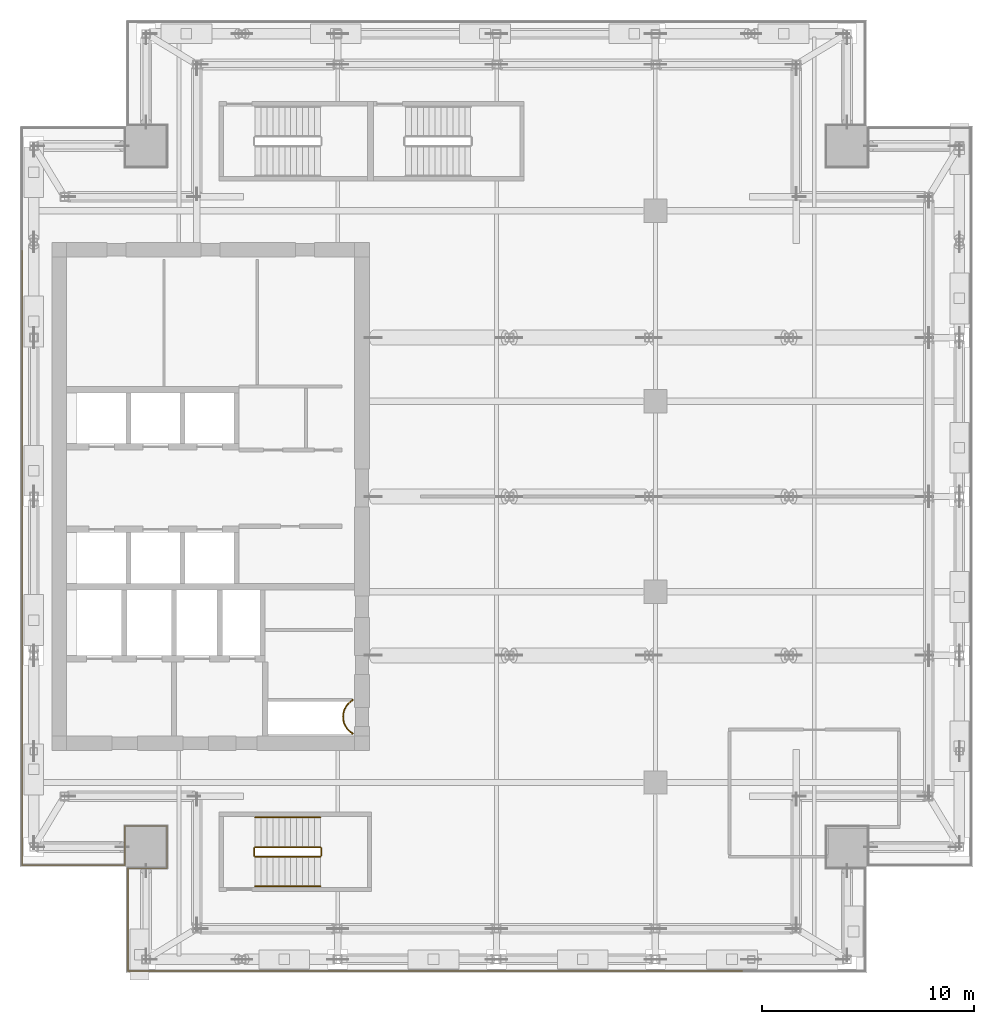
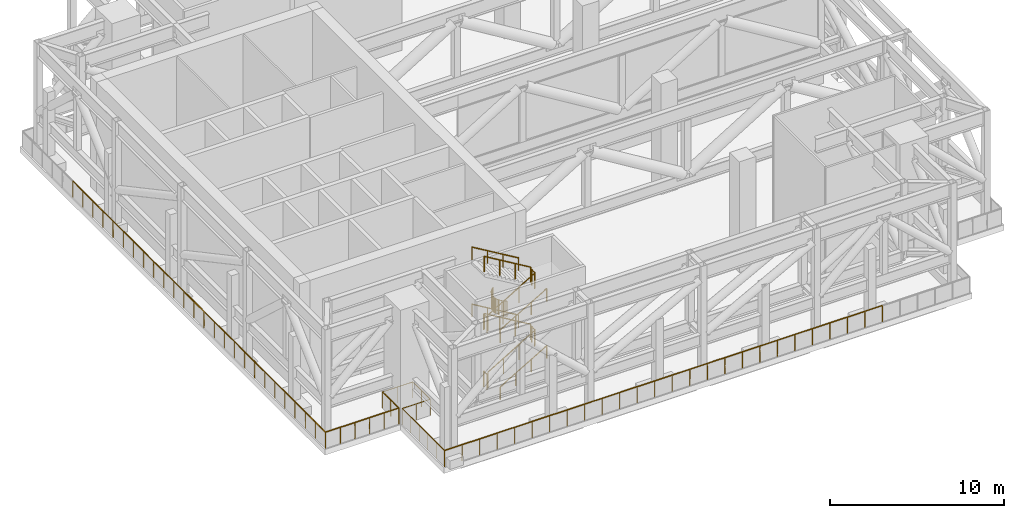
# One storey, part 12 of 15: 27 railings.
"""IFC4 building model written with IfcOpenShell, lengths in metres."""

from ifc_helpers import new_model, si_unit, direction, frame, origin, origin_2d, place, context, subcontext, project, spatial, circle, extrude, source, transform, mapped, material, type_object, element, save


model = new_model("IFC4")

# Units and contexts
model_context = context("Model", 3, precision=1e-05, world=origin(), true_north=direction((0.0, 1.0)))
body_context = subcontext(model_context, "Body", "Model", "MODEL_VIEW")
ifc_project = project(units=[si_unit("LENGTHUNIT", "METRE"), si_unit("AREAUNIT", "SQUARE_METRE"), si_unit("VOLUMEUNIT", "CUBIC_METRE"), si_unit("PLANEANGLEUNIT", "RADIAN"), si_unit("MASSUNIT", "GRAM", prefix="KILO")], contexts=[model_context])

# Site, building, storey
site_placement = place(None, origin())
site = spatial("IfcSite", under=ifc_project, at=site_placement, CompositionType="ELEMENT")
building_placement = place(site_placement, origin())
building = spatial("IfcBuilding", under=site, at=building_placement, Name="Khomas Fold Tower", CompositionType="ELEMENT")
storey_placement = place(building_placement, frame((0.0, 0.0, 274.199951171875)))
storey = spatial("IfcBuildingStorey", under=building, at=storey_placement, Name="L62", CompositionType="ELEMENT", Elevation=274.199951171875)

# Railings
ifc_material_1 = material(Name="Powder-coated steel", Category="steel")
railing_type_1 = type_object("IfcRailingType", Name="Balcony guard", PredefinedType="GUARDRAIL", material=ifc_material_1)
shared_shape_1 = source(origin(), body_context, "Body", "SweptSolid", [
    extrude(circle(Radius=0.02490234375, at=origin_2d()), frame((0.0, 0.0, 1.125), z_axis=(1.0, 0.0, 0.0), x_axis=(0.0, 1.0, 0.0)), (0.0, 0.0, 1.0), 1.849853515625),
    extrude(circle(Radius=0.02490234375, at=origin_2d()), frame((1.849853515625, 0.0, 1.125), z_axis=(0.0, 1.0, 0.0), x_axis=(-1.0, 0.0, 0.0)), (0.0, 0.0, 1.0), 2.0),
    extrude(circle(Radius=0.02490234375, at=origin_2d()), frame((1.849853515625, 2.0, 1.125), z_axis=(-1.0, 0.0, 0.0), x_axis=(0.0, -1.0, 0.0)), (0.0, 0.0, 1.0), 2.0),
    extrude(circle(Radius=0.02001953125, at=origin_2d()), origin(), (0.0, 0.0, 1.0), 1.099853515625),
    extrude(circle(Radius=0.02001953125, at=origin_2d()), frame((0.9248046875, 0.0, 0.0)), (0.0, 0.0, 1.0), 1.099853515625),
    extrude(circle(Radius=0.02001953125, at=origin_2d()), frame((1.849853515625, 0.0, 0.0)), (0.0, 0.0, 1.0), 1.099853515625),
    extrude(circle(Radius=0.02001953125, at=origin_2d()), frame((1.849853515625, 1.0, 0.0)), (0.0, 0.0, 1.0), 1.099853515625),
    extrude(circle(Radius=0.02001953125, at=origin_2d()), frame((1.849853515625, 2.0, 0.0)), (0.0, 0.0, 1.0), 1.099853515625),
    extrude(circle(Radius=0.02001953125, at=origin_2d()), frame((0.849853515625, 2.0, 0.0)), (0.0, 0.0, 1.0), 1.099853515625),
    extrude(circle(Radius=0.02001953125, at=origin_2d()), frame((-0.150146484375, 2.0, 0.0)), (0.0, 0.0, 1.0), 1.099853515625),
])
railing_1_placement = place(storey_placement, frame((9.60009765625, 9.449951171875, 0.0)))
element("IfcRailing", 1, at=railing_1_placement, inside=storey, type_object=railing_type_1, Name="GUARD 221", PredefinedType="GUARDRAIL", context=body_context, shape_type="MappedRepresentation", body=[
    mapped(shared_shape_1, transform((0.0, 0.0, 0.0))),
])
shared_shape_2 = source(origin(), body_context, "Body", "SweptSolid", [
    extrude(circle(Radius=0.02490234375, at=origin_2d()), frame((0.0, 0.0, 1.125), z_axis=(0.0, -1.0, 0.0), x_axis=(1.0, 0.0, 0.0)), (0.0, 0.0, 1.0), 1.849853515625),
    extrude(circle(Radius=0.02001953125, at=origin_2d()), origin(), (0.0, 0.0, 1.0), 1.099853515625),
    extrude(circle(Radius=0.02001953125, at=origin_2d()), frame((0.0, -0.9248046875, 0.0)), (0.0, 0.0, 1.0), 1.099853515625),
    extrude(circle(Radius=0.02001953125, at=origin_2d()), frame((0.0, -1.849853515625, 0.0)), (0.0, 0.0, 1.0), 1.099853515625),
])
railing_2_placement = place(storey_placement, frame((9.449951171875, 11.449951171875, 0.0)))
element("IfcRailing", 2, at=railing_2_placement, inside=storey, type_object=railing_type_1, Name="GUARD 221", PredefinedType="GUARDRAIL", context=body_context, shape_type="MappedRepresentation", body=[
    mapped(shared_shape_2, transform((0.0, 0.0, 0.0))),
])
shared_shape_3 = source(origin(), body_context, "Body", "SweptSolid", [
    extrude(circle(Radius=0.02490234375, at=origin_2d()), frame((0.0, 0.0, 1.125), z_axis=(-1.0, 0.0, 0.0), x_axis=(0.0, -1.0, 0.0)), (0.0, 0.0, 1.0), 4.849853515625),
    extrude(circle(Radius=0.02001953125, at=origin_2d()), origin(), (0.0, 0.0, 1.0), 1.099853515625),
    extrude(circle(Radius=0.02001953125, at=origin_2d()), frame((-0.969970703125, 0.0, 0.0)), (0.0, 0.0, 1.0), 1.099853515625),
    extrude(circle(Radius=0.02001953125, at=origin_2d()), frame((-1.93994140625, 0.0, 0.0)), (0.0, 0.0, 1.0), 1.099853515625),
    extrude(circle(Radius=0.02001953125, at=origin_2d()), frame((-2.909912109375, 0.0, 0.0)), (0.0, 0.0, 1.0), 1.099853515625),
    extrude(circle(Radius=0.02001953125, at=origin_2d()), frame((-3.8798828125, 0.0, 0.0)), (0.0, 0.0, 1.0), 1.099853515625),
    extrude(circle(Radius=0.02001953125, at=origin_2d()), frame((-4.849853515625, 0.0, 0.0)), (0.0, 0.0, 1.0), 1.099853515625),
])
railing_3_placement = place(storey_placement, frame((9.449951171875, 9.60009765625, 0.0)))
element("IfcRailing", 3, at=railing_3_placement, inside=storey, type_object=railing_type_1, Name="GUARD 221", PredefinedType="GUARDRAIL", context=body_context, shape_type="MappedRepresentation", body=[
    mapped(shared_shape_3, transform((0.0, 0.0, 0.0))),
])
shared_shape_4 = source(origin(), body_context, "Body", "SweptSolid", [
    extrude(circle(Radius=0.02490234375, at=origin_2d()), frame((0.0, 0.0, 1.125), z_axis=(0.0, 1.0, 0.0), x_axis=(-1.0, 0.0, 0.0)), (0.0, 0.0, 1.0), 5.7998046875),
    extrude(circle(Radius=0.02001953125, at=origin_2d()), origin(), (0.0, 0.0, 1.0), 1.099853515625),
    extrude(circle(Radius=0.02001953125, at=origin_2d()), frame((0.0, 1.159912109375, 0.0)), (0.0, 0.0, 1.0), 1.099853515625),
    extrude(circle(Radius=0.02001953125, at=origin_2d()), frame((0.0, 2.31982421875, 0.0)), (0.0, 0.0, 1.0), 1.099853515625),
    extrude(circle(Radius=0.02001953125, at=origin_2d()), frame((0.0, 3.47998046875, 0.0)), (0.0, 0.0, 1.0), 1.099853515625),
    extrude(circle(Radius=0.02001953125, at=origin_2d()), frame((0.0, 4.639892578125, 0.0)), (0.0, 0.0, 1.0), 1.099853515625),
    extrude(circle(Radius=0.02001953125, at=origin_2d()), frame((0.0, 5.7998046875, 0.0)), (0.0, 0.0, 1.0), 1.099853515625),
])
railing_4_placement = place(storey_placement, frame((4.60009765625, 9.60009765625, 0.0)))
element("IfcRailing", 4, at=railing_4_placement, inside=storey, type_object=railing_type_1, Name="GUARD 221", PredefinedType="GUARDRAIL", context=body_context, shape_type="MappedRepresentation", body=[
    mapped(shared_shape_4, transform((0.0, 0.0, 0.0))),
])
shared_shape_5 = source(origin(), body_context, "Body", "SweptSolid", [
    extrude(circle(Radius=0.02490234375, at=origin_2d()), frame((0.0, 0.0, 1.125), z_axis=(0.0, 1.0, 0.0), x_axis=(-1.0, 0.0, 0.0)), (0.0, 0.0, 1.0), 5.800048828125),
    extrude(circle(Radius=0.02001953125, at=origin_2d()), origin(), (0.0, 0.0, 1.0), 1.099853515625),
    extrude(circle(Radius=0.02001953125, at=origin_2d()), frame((0.0, 1.159912109375, 0.0)), (0.0, 0.0, 1.0), 1.099853515625),
    extrude(circle(Radius=0.02001953125, at=origin_2d()), frame((0.0, 2.320068359375, 0.0)), (0.0, 0.0, 1.0), 1.099853515625),
    extrude(circle(Radius=0.02001953125, at=origin_2d()), frame((0.0, 3.47998046875, 0.0)), (0.0, 0.0, 1.0), 1.099853515625),
    extrude(circle(Radius=0.02001953125, at=origin_2d()), frame((0.0, 4.64013671875, 0.0)), (0.0, 0.0, 1.0), 1.099853515625),
    extrude(circle(Radius=0.02001953125, at=origin_2d()), frame((0.0, 5.800048828125, 0.0)), (0.0, 0.0, 1.0), 1.099853515625),
])
for number, where, name in (
    (5, (4.60009765625, 15.39990234375, 0.0), "GUARD 221"),
    (6, (4.60009765625, 21.199951171875, 0.0), "GUARD 221"),
    (7, (4.60009765625, 27.0, 0.0), "GUARD 221"),
    (8, (4.60009765625, 32.800048828125, 0.0), "GUARD 221"),
):
    element("IfcRailing", number, at=place(storey_placement, frame(where)), inside=storey, type_object=railing_type_1, Name=name, PredefinedType="GUARDRAIL", context=body_context, shape_type="MappedRepresentation", body=[
        mapped(shared_shape_5, transform((0.0, 0.0, 0.0))),
    ])
shared_shape_6 = source(origin(), body_context, "Body", "SweptSolid", [
    extrude(circle(Radius=0.02490234375, at=origin_2d()), frame((0.0, 0.0, 1.125), z_axis=(0.0, 1.0, 0.0), x_axis=(-1.0, 0.0, 0.0)), (0.0, 0.0, 1.0), 4.849853515625),
    extrude(circle(Radius=0.02001953125, at=origin_2d()), origin(), (0.0, 0.0, 1.0), 1.099853515625),
    extrude(circle(Radius=0.02001953125, at=origin_2d()), frame((0.0, 0.969970703125, 0.0)), (0.0, 0.0, 1.0), 1.099853515625),
    extrude(circle(Radius=0.02001953125, at=origin_2d()), frame((0.0, 1.93994140625, 0.0)), (0.0, 0.0, 1.0), 1.099853515625),
    extrude(circle(Radius=0.02001953125, at=origin_2d()), frame((0.0, 2.909912109375, 0.0)), (0.0, 0.0, 1.0), 1.099853515625),
    extrude(circle(Radius=0.02001953125, at=origin_2d()), frame((0.0, 3.8798828125, 0.0)), (0.0, 0.0, 1.0), 1.099853515625),
    extrude(circle(Radius=0.02001953125, at=origin_2d()), frame((0.0, 4.849853515625, 0.0)), (0.0, 0.0, 1.0), 1.099853515625),
])
railing_5_placement = place(storey_placement, frame((9.60009765625, 4.60009765625, 0.0)))
element("IfcRailing", 9, at=railing_5_placement, inside=storey, type_object=railing_type_1, Name="GUARD 221", PredefinedType="GUARDRAIL", context=body_context, shape_type="MappedRepresentation", body=[
    mapped(shared_shape_6, transform((0.0, 0.0, 0.0))),
])
shared_shape_7 = source(origin(), body_context, "Body", "SweptSolid", [
    extrude(circle(Radius=0.02490234375, at=origin_2d()), frame((0.0, 0.0, 1.125), z_axis=(-1.0, 0.0, 0.0), x_axis=(0.0, -1.0, 0.0)), (0.0, 0.0, 1.0), 5.7998046875),
    extrude(circle(Radius=0.02001953125, at=origin_2d()), origin(), (0.0, 0.0, 1.0), 1.099853515625),
    extrude(circle(Radius=0.02001953125, at=origin_2d()), frame((-1.159912109375, 0.0, 0.0)), (0.0, 0.0, 1.0), 1.099853515625),
    extrude(circle(Radius=0.02001953125, at=origin_2d()), frame((-2.31982421875, 0.0, 0.0)), (0.0, 0.0, 1.0), 1.099853515625),
    extrude(circle(Radius=0.02001953125, at=origin_2d()), frame((-3.47998046875, 0.0, 0.0)), (0.0, 0.0, 1.0), 1.099853515625),
    extrude(circle(Radius=0.02001953125, at=origin_2d()), frame((-4.639892578125, 0.0, 0.0)), (0.0, 0.0, 1.0), 1.099853515625),
    extrude(circle(Radius=0.02001953125, at=origin_2d()), frame((-5.7998046875, 0.0, 0.0)), (0.0, 0.0, 1.0), 1.099853515625),
])
railing_6_placement = place(storey_placement, frame((15.39990234375, 4.60009765625, 0.0)))
element("IfcRailing", 10, at=railing_6_placement, inside=storey, type_object=railing_type_1, Name="GUARD 221", PredefinedType="GUARDRAIL", context=body_context, shape_type="MappedRepresentation", body=[
    mapped(shared_shape_7, transform((0.0, 0.0, 0.0))),
])
shared_shape_8 = source(origin(), body_context, "Body", "SweptSolid", [
    extrude(circle(Radius=0.02490234375, at=origin_2d()), frame((0.0, 0.0, 1.125), z_axis=(-1.0, 0.0, 0.0), x_axis=(0.0, -1.0, 0.0)), (0.0, 0.0, 1.0), 5.800048828125),
    extrude(circle(Radius=0.02001953125, at=origin_2d()), origin(), (0.0, 0.0, 1.0), 1.099853515625),
    extrude(circle(Radius=0.02001953125, at=origin_2d()), frame((-1.159912109375, 0.0, 0.0)), (0.0, 0.0, 1.0), 1.099853515625),
    extrude(circle(Radius=0.02001953125, at=origin_2d()), frame((-2.320068359375, 0.0, 0.0)), (0.0, 0.0, 1.0), 1.099853515625),
    extrude(circle(Radius=0.02001953125, at=origin_2d()), frame((-3.47998046875, 0.0, 0.0)), (0.0, 0.0, 1.0), 1.099853515625),
    extrude(circle(Radius=0.02001953125, at=origin_2d()), frame((-4.64013671875, 0.0, 0.0)), (0.0, 0.0, 1.0), 1.099853515625),
    extrude(circle(Radius=0.02001953125, at=origin_2d()), frame((-5.800048828125, 0.0, 0.0)), (0.0, 0.0, 1.0), 1.099853515625),
])
for number, where, name in (
    (11, (38.60009765625, 4.60009765625, 0.0), "GUARD 221"),
    (12, (32.800048828125, 4.60009765625, 0.0), "GUARD 221"),
    (13, (27.0, 4.60009765625, 0.0), "GUARD 221"),
    (14, (21.199951171875, 4.60009765625, 0.0), "GUARD 221"),
):
    element("IfcRailing", number, at=place(storey_placement, frame(where)), inside=storey, type_object=railing_type_1, Name=name, PredefinedType="GUARDRAIL", context=body_context, shape_type="MappedRepresentation", body=[
        mapped(shared_shape_8, transform((0.0, 0.0, 0.0))),
    ])
ifc_material_2 = material(Name="Steel balustrade", Category="steel")
railing_type_2 = type_object("IfcRailingType", Name="Stair guard", PredefinedType="GUARDRAIL", material=ifc_material_2)
shared_shape_9 = source(origin(), body_context, "Body", "SweptSolid", [
    extrude(circle(Radius=0.02392578125, at=origin_2d()), frame((0.0, 0.0, 1.076171875), z_axis=(0.0, 1.0, 0.0), x_axis=(-1.0, 0.0, 0.0)), (0.0, 0.0, 1.0), 0.349853515625),
    extrude(circle(Radius=0.02099609375, at=origin_2d()), origin(), (0.0, 0.0, 1.0), 1.052001953125),
    extrude(circle(Radius=0.02099609375, at=origin_2d()), frame((0.0, 0.349853515625, 0.0)), (0.0, 0.0, 1.0), 1.052001953125),
])
for number, where, name in (
    (15, (18.72998046875, 10.050048828125, 2.0), "L62 ST2 stair guard 2"),
    (16, (15.550048828125, 10.050048828125, 4.0), "L62 ST2 stair guard 4"),
    (17, (18.72998046875, 10.050048828125, 6.0), "L62 ST2 stair guard 6"),
    (18, (15.550048828125, 10.050048828125, 0.0), "L62 ST2 stair guard 8"),
):
    element("IfcRailing", number, at=place(storey_placement, frame(where)), inside=storey, type_object=railing_type_2, Name=name, PredefinedType="GUARDRAIL", context=body_context, shape_type="MappedRepresentation", body=[
        mapped(shared_shape_9, transform((0.0, 0.0, 0.0))),
    ])
shared_shape_10 = source(origin(), body_context, "Body", "SweptSolid", [
    extrude(circle(Radius=0.02392578125, at=origin_2d()), frame((0.0, 0.0, 1.076171875), z_axis=(0.859290745958, 0.0, 0.51148745235), x_axis=(0.0, 1.0, 0.0)), (0.0, 0.0, 1.0), 3.584228515625),
    extrude(circle(Radius=0.02099609375, at=origin_2d()), origin(), (0.0, 0.0, 1.0), 1.052001953125),
    extrude(circle(Radius=0.02099609375, at=origin_2d()), frame((1.026611328125, 0.0, 0.611083984375)), (0.0, 0.0, 1.0), 1.052001953125),
    extrude(circle(Radius=0.02099609375, at=origin_2d()), frame((2.05322265625, 0.0, 1.22216796875)), (0.0, 0.0, 1.0), 1.052001953125),
    extrude(circle(Radius=0.02099609375, at=origin_2d()), frame((3.079833984375, 0.0, 1.833251953125)), (0.0, 0.0, 1.0), 1.052001953125),
])
for number, where, name in (
    (19, (15.60009765625, 10.0, 0.166748046875), "L62 ST2 stair guard 1"),
    (20, (15.60009765625, 10.0, 4.166748046875), "L62 ST2 stair guard 5"),
):
    element("IfcRailing", number, at=place(storey_placement, frame(where)), inside=storey, type_object=railing_type_2, Name=name, PredefinedType="GUARDRAIL", context=body_context, shape_type="MappedRepresentation", body=[
        mapped(shared_shape_10, transform((0.0, 0.0, 0.0))),
    ])
shared_shape_11 = source(origin(), body_context, "Body", "SweptSolid", [
    extrude(circle(Radius=0.02392578125, at=origin_2d()), frame((0.0, 0.0, 1.076171875), z_axis=(-0.859290745958, 0.0, 0.51148745235), x_axis=(0.0, -1.0, 0.0)), (0.0, 0.0, 1.0), 3.584228515625),
    extrude(circle(Radius=0.02099609375, at=origin_2d()), origin(), (0.0, 0.0, 1.0), 1.052001953125),
    extrude(circle(Radius=0.02099609375, at=origin_2d()), frame((-1.026611328125, 0.0, 0.611083984375)), (0.0, 0.0, 1.0), 1.052001953125),
    extrude(circle(Radius=0.02099609375, at=origin_2d()), frame((-2.05322265625, 0.0, 1.22216796875)), (0.0, 0.0, 1.0), 1.052001953125),
    extrude(circle(Radius=0.02099609375, at=origin_2d()), frame((-3.079833984375, 0.0, 1.833251953125)), (0.0, 0.0, 1.0), 1.052001953125),
])
for number, where, name in (
    (21, (18.679931640625, 10.449951171875, 2.166748046875), "L62 ST2 stair guard 3"),
    (22, (18.679931640625, 10.449951171875, 6.166748046875), "L62 ST2 stair guard 7"),
):
    element("IfcRailing", number, at=place(storey_placement, frame(where)), inside=storey, type_object=railing_type_2, Name=name, PredefinedType="GUARDRAIL", context=body_context, shape_type="MappedRepresentation", body=[
        mapped(shared_shape_11, transform((0.0, 0.0, 0.0))),
    ])
ifc_material_3 = material(Name="Steel handrail", Category="steel")
railing_type_3 = type_object("IfcRailingType", Name="Stair handrail", PredefinedType="HANDRAIL", material=ifc_material_3)
shared_shape_12 = source(origin(), body_context, "Body", "SweptSolid", [
    extrude(circle(Radius=0.02392578125, at=origin_2d()), frame((0.0, 0.0, 0.8759765625), z_axis=(0.859290745958, 0.0, 0.51148745235), x_axis=(0.0, 1.0, 0.0)), (0.0, 0.0, 1.0), 3.584228515625),
    extrude(circle(Radius=0.02099609375, at=origin_2d()), origin(), (0.0, 0.0, 1.0), 0.851806640625),
    extrude(circle(Radius=0.02099609375, at=origin_2d()), frame((1.026611328125, 0.0, 0.611083984375)), (0.0, 0.0, 1.0), 0.851806640625),
    extrude(circle(Radius=0.02099609375, at=origin_2d()), frame((2.05322265625, 0.0, 1.22216796875)), (0.0, 0.0, 1.0), 0.851806640625),
    extrude(circle(Radius=0.02099609375, at=origin_2d()), frame((3.079833984375, 0.0, 1.833251953125)), (0.0, 0.0, 1.0), 0.851806640625),
])
for number, where, name in (
    (23, (15.60009765625, 8.60009765625, 0.166748046875), "L62 ST2 stair handrail 1"),
    (24, (15.60009765625, 8.60009765625, 4.166748046875), "L62 ST2 stair handrail 3"),
):
    element("IfcRailing", number, at=place(storey_placement, frame(where)), inside=storey, type_object=railing_type_3, Name=name, PredefinedType="HANDRAIL", context=body_context, shape_type="MappedRepresentation", body=[
        mapped(shared_shape_12, transform((0.0, 0.0, 0.0))),
    ])
shared_shape_13 = source(origin(), body_context, "Body", "SweptSolid", [
    extrude(circle(Radius=0.02392578125, at=origin_2d()), frame((0.0, 0.0, 0.8759765625), z_axis=(-0.859290745958, 0.0, 0.51148745235), x_axis=(0.0, -1.0, 0.0)), (0.0, 0.0, 1.0), 3.584228515625),
    extrude(circle(Radius=0.02099609375, at=origin_2d()), origin(), (0.0, 0.0, 1.0), 0.851806640625),
    extrude(circle(Radius=0.02099609375, at=origin_2d()), frame((-1.026611328125, 0.0, 0.611083984375)), (0.0, 0.0, 1.0), 0.851806640625),
    extrude(circle(Radius=0.02099609375, at=origin_2d()), frame((-2.05322265625, 0.0, 1.22216796875)), (0.0, 0.0, 1.0), 0.851806640625),
    extrude(circle(Radius=0.02099609375, at=origin_2d()), frame((-3.079833984375, 0.0, 1.833251953125)), (0.0, 0.0, 1.0), 0.851806640625),
])
for number, where, name in (
    (25, (18.679931640625, 11.85009765625, 2.166748046875), "L62 ST2 stair handrail 2"),
    (26, (18.679931640625, 11.85009765625, 6.166748046875), "L62 ST2 stair handrail 4"),
):
    element("IfcRailing", number, at=place(storey_placement, frame(where)), inside=storey, type_object=railing_type_3, Name=name, PredefinedType="HANDRAIL", context=body_context, shape_type="MappedRepresentation", body=[
        mapped(shared_shape_13, transform((0.0, 0.0, 0.0))),
    ])
ifc_material_4 = material(Name="Steel balustrade", Category="steel")
railing_type_4 = type_object("IfcRailingType", Name="Shaft guard", PredefinedType="GUARDRAIL", material=ifc_material_4)
shared_shape_14 = source(origin(), body_context, "Body", "SweptSolid", [
    extrude(circle(Radius=0.02490234375, at=origin_2d()), frame((0.0, 0.0, 1.0751953125), z_axis=(1.0, 0.0, 0.0), x_axis=(0.0, 1.0, 0.0)), (0.0, 0.0, 1.0), 0.02197265625),
    extrude(circle(Radius=0.02490234375, at=origin_2d()), frame((0.02197265625, 0.0, 1.0751953125), z_axis=(0.0, -1.0, 0.0), x_axis=(1.0, 0.0, 0.0)), (0.0, 0.0, 1.0), 0.021484375),
    extrude(circle(Radius=0.02490234375, at=origin_2d()), frame((0.02197265625, -0.021484375, 1.0751953125), z_axis=(-0.857492925713, -0.514495755428, 0.0), x_axis=(0.514495755428, -0.857492925713, 0.0)), (0.0, 0.0, 1.0), 0.058349609375),
    extrude(circle(Radius=0.02490234375, at=origin_2d()), frame((-0.028076171875, -0.051513671875, 1.0751953125), z_axis=(-0.801986734315, -0.597341843489, 0.0), x_axis=(0.597341843489, -0.801986734315, 0.0)), (0.0, 0.0, 1.0), 0.08837890625),
    extrude(circle(Radius=0.02490234375, at=origin_2d()), frame((-0.098876953125, -0.104248046875, 1.0751953125), z_axis=(-0.740814996175, -0.671709119666, 0.0), x_axis=(0.671709119666, -0.740814996175, 0.0)), (0.0, 0.0, 1.0), 0.08837890625),
    extrude(circle(Radius=0.02490234375, at=origin_2d()), frame((-0.164306640625, -0.16357421875, 1.0751953125), z_axis=(-0.671709119666, -0.740814996175, 0.0), x_axis=(0.740814996175, -0.671709119666, 0.0)), (0.0, 0.0, 1.0), 0.08837890625),
    extrude(circle(Radius=0.02490234375, at=origin_2d()), frame((-0.2236328125, -0.22900390625, 1.0751953125), z_axis=(-0.597341843489, -0.801986734315, 0.0), x_axis=(0.801986734315, -0.597341843489, 0.0)), (0.0, 0.0, 1.0), 0.08837890625),
    extrude(circle(Radius=0.02490234375, at=origin_2d()), frame((-0.2763671875, -0.2998046875, 1.0751953125), z_axis=(-0.514495755428, -0.857492925713, 0.0), x_axis=(0.857492925713, -0.514495755428, 0.0)), (0.0, 0.0, 1.0), 0.08837890625),
    extrude(circle(Radius=0.02490234375, at=origin_2d()), frame((-0.32177734375, -0.37548828125, 1.0751953125), z_axis=(-0.424999439989, -0.905193612444, 0.0), x_axis=(0.905193612444, -0.424999439989, 0.0)), (0.0, 0.0, 1.0), 0.08837890625),
    extrude(circle(Radius=0.02490234375, at=origin_2d()), frame((-0.359375, -0.45556640625, 1.0751953125), z_axis=(-0.337738989679, -0.941239807302, 0.0), x_axis=(0.941239807302, -0.337738989679, 0.0)), (0.0, 0.0, 1.0), 0.088134765625),
    extrude(circle(Radius=0.02490234375, at=origin_2d()), frame((-0.38916015625, -0.53857421875, 1.0751953125), z_axis=(-0.243185799972, -0.969979724887, 0.0), x_axis=(0.969979724887, -0.243185799972, 0.0)), (0.0, 0.0, 1.0), 0.08837890625),
    extrude(circle(Radius=0.02490234375, at=origin_2d()), frame((-0.41064453125, -0.624267578125, 1.0751953125), z_axis=(-0.146448518259, -0.989218293148, 0.0), x_axis=(0.989218293148, -0.146448518259, 0.0)), (0.0, 0.0, 1.0), 0.08837890625),
    extrude(circle(Radius=0.02490234375, at=origin_2d()), frame((-0.423583984375, -0.711669921875, 1.0751953125), z_axis=(-0.049799629132, -0.998759228712, 0.0), x_axis=(0.998759228712, -0.049799629132, 0.0)), (0.0, 0.0, 1.0), 0.088134765625),
    extrude(circle(Radius=0.02490234375, at=origin_2d()), frame((-0.427978515625, -0.7998046875, 1.0751953125), z_axis=(0.049662400856, -0.998766061669, 0.0), x_axis=(0.998766061669, 0.049662400856, 0.0)), (0.0, 0.0, 1.0), 0.08837890625),
    extrude(circle(Radius=0.02490234375, at=origin_2d()), frame((-0.423583984375, -0.88818359375, 1.0751953125), z_axis=(0.146448518259, -0.989218293148, 0.0), x_axis=(0.989218293148, 0.146448518259, 0.0)), (0.0, 0.0, 1.0), 0.08837890625),
    extrude(circle(Radius=0.02490234375, at=origin_2d()), frame((-0.41064453125, -0.9755859375, 1.0751953125), z_axis=(0.243185799972, -0.969979724887, 0.0), x_axis=(0.969979724887, 0.243185799972, 0.0)), (0.0, 0.0, 1.0), 0.08837890625),
    extrude(circle(Radius=0.02490234375, at=origin_2d()), frame((-0.38916015625, -1.061279296875, 1.0751953125), z_axis=(0.337738989679, -0.941239807302, 0.0), x_axis=(0.941239807302, 0.337738989679, 0.0)), (0.0, 0.0, 1.0), 0.088134765625),
    extrude(circle(Radius=0.02490234375, at=origin_2d()), frame((-0.359375, -1.144287109375, 1.0751953125), z_axis=(0.426063493689, -0.904693262573, 0.0), x_axis=(0.904693262573, 0.426063493689, 0.0)), (0.0, 0.0, 1.0), 0.088134765625),
    extrude(circle(Radius=0.02490234375, at=origin_2d()), frame((-0.32177734375, -1.22412109375, 1.0751953125), z_axis=(0.514495755428, -0.857492925713, 0.0), x_axis=(0.857492925713, 0.514495755428, 0.0)), (0.0, 0.0, 1.0), 0.08837890625),
    extrude(circle(Radius=0.02490234375, at=origin_2d()), frame((-0.2763671875, -1.2998046875, 1.0751953125), z_axis=(0.596019138224, -0.802970227885, 0.0), x_axis=(0.802970227885, 0.596019138224, 0.0)), (0.0, 0.0, 1.0), 0.08837890625),
    extrude(circle(Radius=0.02490234375, at=origin_2d()), frame((-0.2236328125, -1.370849609375, 1.0751953125), z_axis=(0.671709119666, -0.740814996175, 0.0), x_axis=(0.740814996175, 0.671709119666, 0.0)), (0.0, 0.0, 1.0), 0.08837890625),
    extrude(circle(Radius=0.02490234375, at=origin_2d()), frame((-0.164306640625, -1.436279296875, 1.0751953125), z_axis=(0.740814996175, -0.671709119666, 0.0), x_axis=(0.671709119666, 0.740814996175, 0.0)), (0.0, 0.0, 1.0), 0.08837890625),
    extrude(circle(Radius=0.02490234375, at=origin_2d()), frame((-0.098876953125, -1.49560546875, 1.0751953125), z_axis=(0.803311771616, -0.595558727233, 0.0), x_axis=(0.595558727233, 0.803311771616, 0.0)), (0.0, 0.0, 1.0), 0.088134765625),
    extrude(circle(Radius=0.02490234375, at=origin_2d()), frame((-0.028076171875, -1.548095703125, 1.0751953125), z_axis=(0.857492925713, -0.514495755428, 0.0), x_axis=(0.514495755428, 0.857492925713, 0.0)), (0.0, 0.0, 1.0), 0.058349609375),
    extrude(circle(Radius=0.02490234375, at=origin_2d()), frame((0.02197265625, -1.578125, 1.0751953125), z_axis=(0.0, -1.0, 0.0), x_axis=(1.0, 0.0, 0.0)), (0.0, 0.0, 1.0), 0.021728515625),
    extrude(circle(Radius=0.02490234375, at=origin_2d()), frame((0.02197265625, -1.599853515625, 1.0751953125), z_axis=(-1.0, 0.0, 0.0), x_axis=(0.0, -1.0, 0.0)), (0.0, 0.0, 1.0), 0.02197265625),
    extrude(circle(Radius=0.02001953125, at=origin_2d()), origin(), (0.0, 0.0, 1.0), 1.050048828125),
    extrude(circle(Radius=0.02001953125, at=origin_2d()), frame((0.02197265625, 0.0, 0.0)), (0.0, 0.0, 1.0), 1.050048828125),
    extrude(circle(Radius=0.02001953125, at=origin_2d()), frame((0.02197265625, -0.021484375, 0.0)), (0.0, 0.0, 1.0), 1.050048828125),
    extrude(circle(Radius=0.02001953125, at=origin_2d()), frame((-0.028076171875, -0.051513671875, 0.0)), (0.0, 0.0, 1.0), 1.050048828125),
    extrude(circle(Radius=0.02001953125, at=origin_2d()), frame((-0.098876953125, -0.104248046875, 0.0)), (0.0, 0.0, 1.0), 1.050048828125),
    extrude(circle(Radius=0.02001953125, at=origin_2d()), frame((-0.164306640625, -0.16357421875, 0.0)), (0.0, 0.0, 1.0), 1.050048828125),
    extrude(circle(Radius=0.02001953125, at=origin_2d()), frame((-0.2236328125, -0.22900390625, 0.0)), (0.0, 0.0, 1.0), 1.050048828125),
    extrude(circle(Radius=0.02001953125, at=origin_2d()), frame((-0.2763671875, -0.2998046875, 0.0)), (0.0, 0.0, 1.0), 1.050048828125),
    extrude(circle(Radius=0.02001953125, at=origin_2d()), frame((-0.32177734375, -0.37548828125, 0.0)), (0.0, 0.0, 1.0), 1.050048828125),
    extrude(circle(Radius=0.02001953125, at=origin_2d()), frame((-0.359375, -0.45556640625, 0.0)), (0.0, 0.0, 1.0), 1.050048828125),
    extrude(circle(Radius=0.02001953125, at=origin_2d()), frame((-0.38916015625, -0.53857421875, 0.0)), (0.0, 0.0, 1.0), 1.050048828125),
    extrude(circle(Radius=0.02001953125, at=origin_2d()), frame((-0.41064453125, -0.624267578125, 0.0)), (0.0, 0.0, 1.0), 1.050048828125),
    extrude(circle(Radius=0.02001953125, at=origin_2d()), frame((-0.423583984375, -0.711669921875, 0.0)), (0.0, 0.0, 1.0), 1.050048828125),
    extrude(circle(Radius=0.02001953125, at=origin_2d()), frame((-0.427978515625, -0.7998046875, 0.0)), (0.0, 0.0, 1.0), 1.050048828125),
    extrude(circle(Radius=0.02001953125, at=origin_2d()), frame((-0.423583984375, -0.88818359375, 0.0)), (0.0, 0.0, 1.0), 1.050048828125),
    extrude(circle(Radius=0.02001953125, at=origin_2d()), frame((-0.41064453125, -0.9755859375, 0.0)), (0.0, 0.0, 1.0), 1.050048828125),
    extrude(circle(Radius=0.02001953125, at=origin_2d()), frame((-0.38916015625, -1.061279296875, 0.0)), (0.0, 0.0, 1.0), 1.050048828125),
    extrude(circle(Radius=0.02001953125, at=origin_2d()), frame((-0.359375, -1.144287109375, 0.0)), (0.0, 0.0, 1.0), 1.050048828125),
    extrude(circle(Radius=0.02001953125, at=origin_2d()), frame((-0.32177734375, -1.22412109375, 0.0)), (0.0, 0.0, 1.0), 1.050048828125),
    extrude(circle(Radius=0.02001953125, at=origin_2d()), frame((-0.2763671875, -1.2998046875, 0.0)), (0.0, 0.0, 1.0), 1.050048828125),
    extrude(circle(Radius=0.02001953125, at=origin_2d()), frame((-0.2236328125, -1.370849609375, 0.0)), (0.0, 0.0, 1.0), 1.050048828125),
    extrude(circle(Radius=0.02001953125, at=origin_2d()), frame((-0.164306640625, -1.436279296875, 0.0)), (0.0, 0.0, 1.0), 1.050048828125),
    extrude(circle(Radius=0.02001953125, at=origin_2d()), frame((-0.098876953125, -1.49560546875, 0.0)), (0.0, 0.0, 1.0), 1.050048828125),
    extrude(circle(Radius=0.02001953125, at=origin_2d()), frame((-0.028076171875, -1.548095703125, 0.0)), (0.0, 0.0, 1.0), 1.050048828125),
    extrude(circle(Radius=0.02001953125, at=origin_2d()), frame((0.02197265625, -1.578125, 0.0)), (0.0, 0.0, 1.0), 1.050048828125),
    extrude(circle(Radius=0.02001953125, at=origin_2d()), frame((0.02197265625, -1.599853515625, 0.0)), (0.0, 0.0, 1.0), 1.050048828125),
    extrude(circle(Radius=0.02001953125, at=origin_2d()), frame((0.0, -1.599853515625, 0.0)), (0.0, 0.0, 1.0), 1.050048828125),
])
railing_7_placement = place(storey_placement, frame((20.177978515625, 17.39990234375, 0.0)))
element("IfcRailing", 27, at=railing_7_placement, inside=storey, type_object=railing_type_4, Name="Shaft guard L62 1", PredefinedType="GUARDRAIL", context=body_context, shape_type="MappedRepresentation", body=[
    mapped(shared_shape_14, transform((0.0, 0.0, 0.0))),
])

save(model, "model.ifc")
